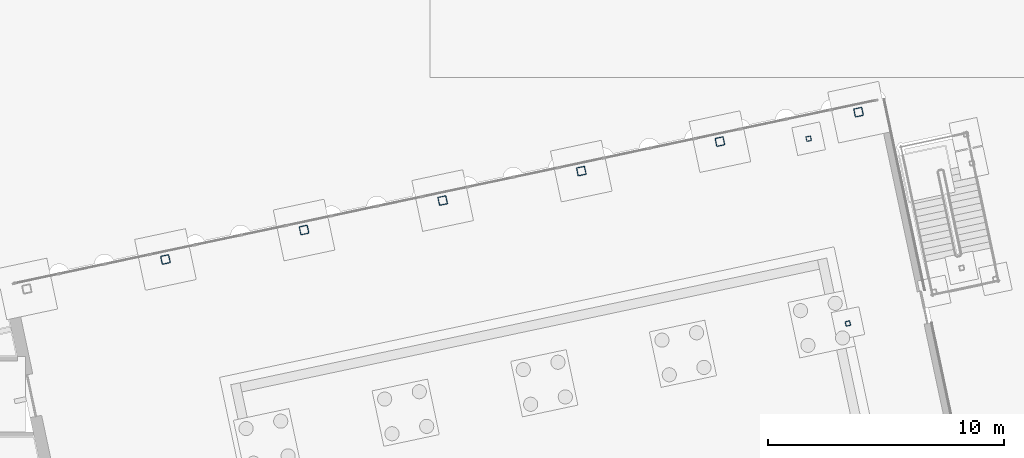
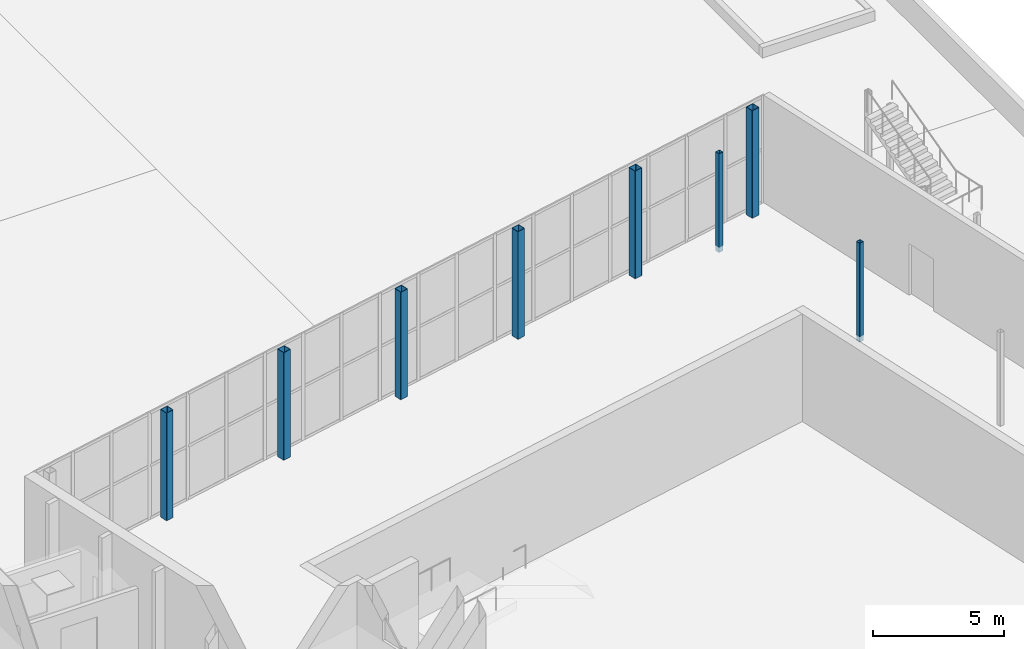
# One storey, part 24 of 157: 8 columns.
"""IFC4 building model written with IfcOpenShell, lengths in metres."""

from ifc_helpers import new_model, si_unit, direction, frame, origin, origin_2d, place, context, subcontext, project, spatial, hollow_rectangle, extrude, material, material_profile, profile_set, type_object, element, save


model = new_model("IFC4")

# Units and contexts
model_context = context("Model", 3, precision=1e-05, world=origin(), true_north=direction((0.0, 1.0)))
body_context = subcontext(model_context, "Body", "Model", "MODEL_VIEW")
ifc_project = project(units=[si_unit("LENGTHUNIT", "METRE"), si_unit("AREAUNIT", "SQUARE_METRE"), si_unit("VOLUMEUNIT", "CUBIC_METRE"), si_unit("PLANEANGLEUNIT", "RADIAN"), si_unit("MASSUNIT", "GRAM", prefix="KILO")], contexts=[model_context])

# Site, building, storey
site_placement = place(None, origin())
site = spatial("IfcSite", under=ifc_project, at=site_placement, CompositionType="ELEMENT")
building_placement = place(site_placement, origin())
building = spatial("IfcBuilding", under=site, at=building_placement, Name="Windward Yard Aquatics Centre", CompositionType="ELEMENT")
storey_placement = place(building_placement, origin())
storey = spatial("IfcBuildingStorey", under=building, at=storey_placement, Name="L00", CompositionType="ELEMENT", Elevation=0.0)

# Columns
ifc_material = material(Name="Steel ASTM A500 Gr C", Category="steel")
ifc_material_profile_1 = material_profile(ifc_material, hollow_rectangle(XDim=0.203125, YDim=0.203125, WallThickness=0.0126953125, InnerFilletRadius=0.00634765625, OuterFilletRadius=0.01904296875, at=origin_2d()), Name="HSS203X203X12.7")
ifc_profile_set_1 = profile_set([ifc_material_profile_1], Name="Steel ASTM A500 Gr C")
column_type_1 = type_object("IfcColumnType", Name="D column HSS203X203X12.7", PredefinedType="COLUMN", material=ifc_profile_set_1)
for number, where, z_axis, x_axis, name in (
    (1, (191.693603515625, 73.08935546875, -0.25), (0.0, 0.0, 1.0), (0.978147600734, 0.207911690818, 0.0), "D.COL.G4"),
    (2, (190.0302734375, 80.91455078125, -0.25), (0.0, 0.0, 1.0), (0.978147600734, 0.207911690818, 0.0), "D.COL.G5"),
):
    element("IfcColumn", number, at=place(storey_placement, frame(where, z_axis=z_axis, x_axis=x_axis)), inside=storey, type_object=column_type_1, Name=name, PredefinedType="COLUMN", context=body_context, shape_type="SweptSolid", body=[
        extrude(hollow_rectangle(XDim=0.203125, YDim=0.203125, WallThickness=0.0126953125, InnerFilletRadius=0.00634765625, OuterFilletRadius=0.01904296875, at=origin_2d()), origin(), (0.0, 0.0, 1.0), 4.593994140625),
    ])
ifc_material_profile_2 = material_profile(ifc_material, hollow_rectangle(XDim=0.355712890625, YDim=0.355712890625, WallThickness=0.015869140625, InnerFilletRadius=0.008056640625, OuterFilletRadius=0.02392578125, at=origin_2d()), Name="HSS356X356X15.9")
ifc_profile_set_2 = profile_set([ifc_material_profile_2], Name="Steel ASTM A500 Gr C")
column_type_2 = type_object("IfcColumnType", Name="D column HSS356X356X15.9", PredefinedType="COLUMN", material=ifc_profile_set_2)
for number, where, z_axis, x_axis, name in (
    (3, (162.79833984375, 75.801025390625, 0.0), (0.0, 0.0, 1.0), (0.978147600734, 0.207911690818, 0.0), "D.COL.2.2.2"),
    (4, (168.667236328125, 77.048583984375, 0.0), (0.0, 0.0, 1.0), (0.978147600734, 0.207911690818, 0.0), "D.COL.3.2.2"),
    (5, (174.5361328125, 78.2958984375, 0.0), (0.0, 0.0, 1.0), (0.978147600734, 0.207911690818, 0.0), "D.COL.4.2.2"),
    (6, (180.405029296875, 79.54345703125, 0.0), (0.0, 0.0, 1.0), (0.978147600734, 0.207911690818, 0.0), "D.COL.5.2.2"),
    (7, (186.27392578125, 80.791015625, 0.0), (0.0, 0.0, 1.0), (0.978147600734, 0.207911690818, 0.0), "D.COL.6.2.2"),
    (8, (192.142822265625, 82.038330078125, 0.0), (0.0, 0.0, 1.0), (0.978147600734, 0.207911690818, 0.0), "D.COL.7.2.2"),
):
    element("IfcColumn", number, at=place(storey_placement, frame(where, z_axis=z_axis, x_axis=x_axis)), inside=storey, type_object=column_type_2, Name=name, PredefinedType="COLUMN", context=body_context, shape_type="SweptSolid", body=[
        extrude(hollow_rectangle(XDim=0.355712890625, YDim=0.355712890625, WallThickness=0.015869140625, InnerFilletRadius=0.008056640625, OuterFilletRadius=0.02392578125, at=origin_2d()), origin(), (0.0, 0.0, 1.0), 5.0),
    ])

save(model, "model.ifc")
